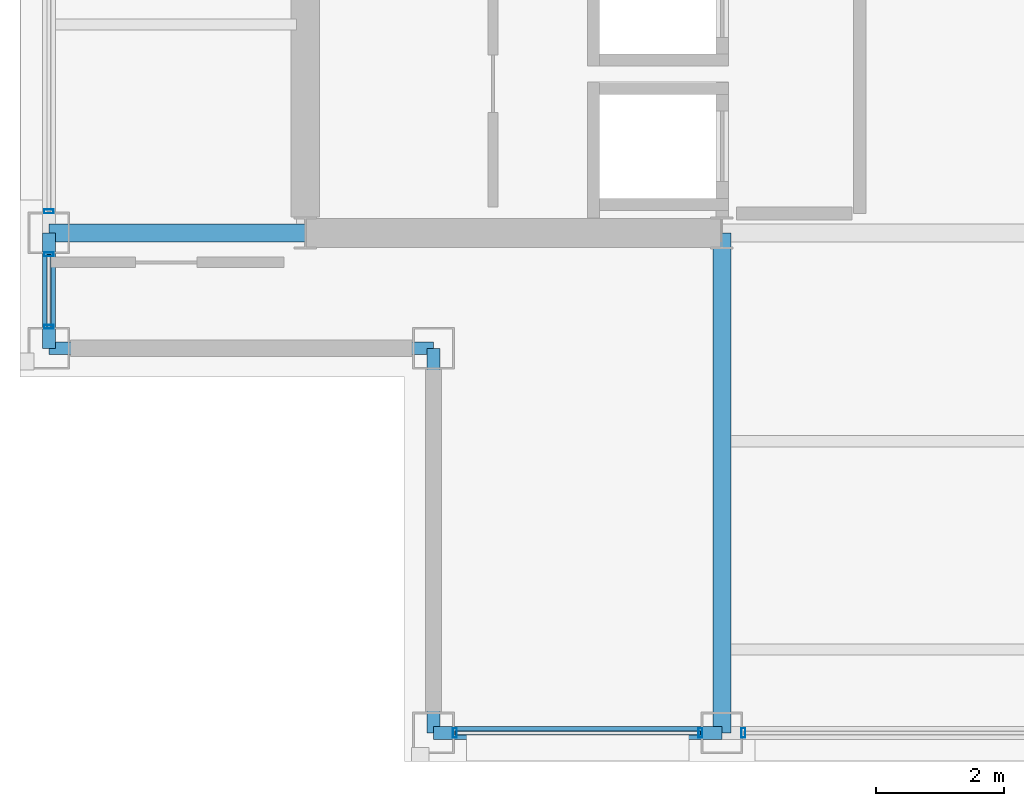
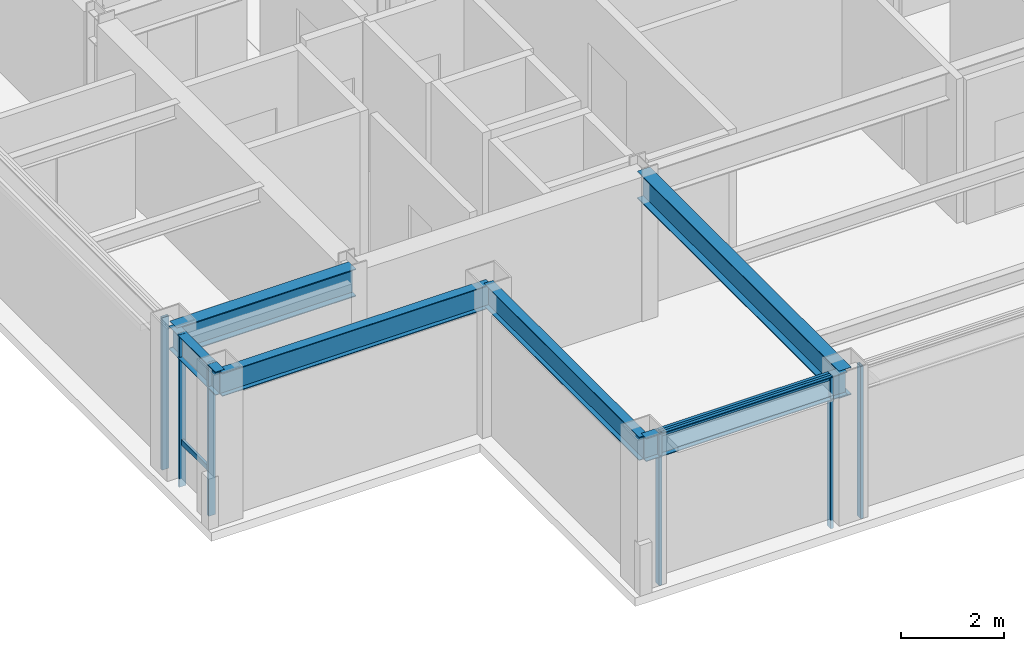
# One storey, part 2 of 20: 8 members, 6 beams, 4 elements without a shape of their own.
"""IFC4 building model written with IfcOpenShell, lengths in metres."""

from ifc_helpers import new_model, si_unit, direction, frame, origin, origin_2d, place, context, subcontext, project, spatial, hollow_rectangle, i_section, extrude, material, layer, layer_set, material_profile, profile_set, type_object, element, aggregate, save


model = new_model("IFC4")

# Units and contexts
model_context = context("Model", 3, precision=1e-05, world=origin(), true_north=direction((0.0, 1.0)))
body_context = subcontext(model_context, "Body", "Model", "MODEL_VIEW")
ifc_project = project(units=[si_unit("LENGTHUNIT", "METRE"), si_unit("AREAUNIT", "SQUARE_METRE"), si_unit("VOLUMEUNIT", "CUBIC_METRE"), si_unit("PLANEANGLEUNIT", "RADIAN"), si_unit("MASSUNIT", "GRAM", prefix="KILO")], contexts=[model_context])

# Site, building, storey
site_placement = place(None, origin())
site = spatial("IfcSite", under=ifc_project, at=site_placement, CompositionType="ELEMENT")
building_placement = place(site_placement, origin())
building = spatial("IfcBuilding", under=site, at=building_placement, Name="Brelmoor Portico Tower", CompositionType="ELEMENT")
storey_placement = place(building_placement, frame((0.0, 0.0, 218.39990234375)))
storey = spatial("IfcBuildingStorey", under=building, at=storey_placement, Name="L57", CompositionType="ELEMENT", Elevation=218.39990234375)

# Beams
ifc_material_1 = material(Name="Steel Q355B", Category="steel")
ifc_material_profile_1 = material_profile(ifc_material_1, i_section(OverallWidth=0.280029296875, OverallDepth=0.64990234375, WebThickness=0.012939453125, FlangeThickness=0.02197265625, at=origin_2d()), Name="HN 650x280x13x22")
ifc_profile_set_1 = profile_set([ifc_material_profile_1], Name="Steel Q355B")
beam_type_1 = type_object("IfcBeamType", Name="BM-PG-650", PredefinedType="BEAM", material=ifc_profile_set_1)
beam_1_placement = place(storey_placement, frame((-8.050048828125, -17.550048828125, 3.0751953125), z_axis=(0.0, 1.0, 0.0), x_axis=(-1.0, 0.0, 0.0)))
element("IfcBeam", 1, at=beam_1_placement, inside=storey, type_object=beam_type_1, Name="L57 Primary Floor Girder PG-03", PredefinedType="BEAM", context=body_context, shape_type="SweptSolid", body=[
    extrude(i_section(OverallWidth=0.280029296875, OverallDepth=0.64990234375, WebThickness=0.012939453125, FlangeThickness=0.02197265625, at=origin_2d()), origin(), (0.0, 0.0, 1.0), 7.800048828125),
])
beam_2_placement = place(storey_placement, frame((-18.550048828125, -9.75, 3.0751953125), z_axis=(1.0, 0.0, 0.0), x_axis=(0.0, 1.0, 0.0)))
element("IfcBeam", 2, at=beam_2_placement, inside=storey, type_object=beam_type_1, Name="L57 Primary Floor Girder PG-11", PredefinedType="BEAM", context=body_context, shape_type="SweptSolid", body=[
    extrude(i_section(OverallWidth=0.280029296875, OverallDepth=0.64990234375, WebThickness=0.012939453125, FlangeThickness=0.02197265625, at=origin_2d()), origin(), (0.0, 0.0, 1.0), 4.0),
])
ifc_material_profile_2 = material_profile(ifc_material_1, i_section(OverallWidth=0.199951171875, OverallDepth=0.550048828125, WebThickness=0.010009765625, FlangeThickness=0.01611328125, at=origin_2d()), Name="HN 550x200x10x16")
ifc_profile_set_2 = profile_set([ifc_material_profile_2], Name="Steel Q355B")
beam_type_2 = type_object("IfcBeamType", Name="BM-SP-550", PredefinedType="SPANDREL", material=ifc_profile_set_2)
beam_3_placement = place(storey_placement, frame((-12.550048828125, -17.550048828125, 3.125), z_axis=(1.0, 0.0, 0.0), x_axis=(0.0, 1.0, 0.0)))
element("IfcBeam", 3, at=beam_3_placement, inside=storey, type_object=beam_type_2, Name="L57 Perimeter Spandrel Beam SP-01", PredefinedType="SPANDREL", context=body_context, shape_type="SweptSolid", body=[
    extrude(i_section(OverallWidth=0.199951171875, OverallDepth=0.550048828125, WebThickness=0.010009765625, FlangeThickness=0.01611328125, at=origin_2d()), origin(), (0.0, 0.0, 1.0), 4.5),
])
beam_4_placement = place(storey_placement, frame((-18.550048828125, -11.550048828125, 3.125), z_axis=(1.0, 0.0, 0.0), x_axis=(0.0, 1.0, 0.0)))
element("IfcBeam", 4, at=beam_4_placement, inside=storey, type_object=beam_type_2, Name="L57 Perimeter Spandrel Beam SP-04", PredefinedType="SPANDREL", context=body_context, shape_type="SweptSolid", body=[
    extrude(i_section(OverallWidth=0.199951171875, OverallDepth=0.550048828125, WebThickness=0.010009765625, FlangeThickness=0.01611328125, at=origin_2d()), origin(), (0.0, 0.0, 1.0), 6.0),
])
beam_5_placement = place(storey_placement, frame((-18.550048828125, -11.550048828125, 3.125), z_axis=(0.0, 1.0, 0.0), x_axis=(-1.0, 0.0, 0.0)))
element("IfcBeam", 5, at=beam_5_placement, inside=storey, type_object=beam_type_2, Name="L57 Perimeter Spandrel Beam SP-11", PredefinedType="SPANDREL", context=body_context, shape_type="SweptSolid", body=[
    extrude(i_section(OverallWidth=0.199951171875, OverallDepth=0.550048828125, WebThickness=0.010009765625, FlangeThickness=0.01611328125, at=origin_2d()), origin(), (0.0, 0.0, 1.0), 1.800048828125),
])
beam_6_placement = place(storey_placement, frame((-12.550048828125, -17.550048828125, 3.125), z_axis=(0.0, 1.0, 0.0), x_axis=(-1.0, 0.0, 0.0)))
element("IfcBeam", 6, at=beam_6_placement, inside=storey, type_object=beam_type_2, Name="L57 Perimeter Spandrel Beam SP-14", PredefinedType="SPANDREL", context=body_context, shape_type="SweptSolid", body=[
    extrude(i_section(OverallWidth=0.199951171875, OverallDepth=0.550048828125, WebThickness=0.010009765625, FlangeThickness=0.01611328125, at=origin_2d()), origin(), (0.0, 0.0, 1.0), 6.0),
])

# Curtain wall, members
ifc_material_2 = material(Name="Anodised Aluminium Alloy 6063-T6", Category="aluminium")
ifc_layer_1 = layer(ifc_material_2, 0.179931640625)
ifc_layer_set_1 = layer_set([ifc_layer_1], Name="Anodised Aluminium Alloy 6063-T6")
curtain_wall_type_1 = type_object("IfcCurtainWallType", Name="CW-TOWER-Z4-XB", PredefinedType="NOTDEFINED", material=ifc_layer_set_1)
curtain_wall_1_placement = place(storey_placement, origin())
curtain_wall_1 = element("IfcCurtainWall", 7, at=curtain_wall_1_placement, inside=storey, type_object=curtain_wall_type_1, Name="L57 Curtain Wall CW-L57-01-1", PredefinedType="NOTDEFINED")
ifc_material_profile_3 = material_profile(ifc_material_2, hollow_rectangle(XDim=0.06005859375, YDim=0.14990234375, WallThickness=0.00390625, at=origin_2d()), Name="ALU MULLION 60x150")
ifc_profile_set_3 = profile_set([ifc_material_profile_3], Name="Anodised Aluminium Alloy 6063-T6")
member_type_1 = type_object("IfcMemberType", Name="MB-CW-MULL-150", PredefinedType="MULLION", material=ifc_profile_set_3)
member_1_placement = place(storey_placement, frame((-12.215087890625, -17.550048828125, -0.199951171875), z_axis=(0.0, 0.0, 1.0), x_axis=(1.0, 0.0, 0.0)))
member_1 = element("IfcMember", 8, at=member_1_placement, type_object=member_type_1, Name="CW-L57-01-1 Mullion 00", PredefinedType="MULLION", context=body_context, shape_type="SweptSolid", body=[
    extrude(hollow_rectangle(XDim=0.06005859375, YDim=0.14990234375, WallThickness=0.00390625, at=origin_2d()), origin(), (0.0, 0.0, 1.0), 3.60009765625),
])
member_2_placement = place(storey_placement, frame((-8.385009765625, -17.550048828125, -0.199951171875), z_axis=(0.0, 0.0, 1.0), x_axis=(1.0, 0.0, 0.0)))
member_2 = element("IfcMember", 9, at=member_2_placement, type_object=member_type_1, Name="CW-L57-01-1 Mullion 01", PredefinedType="MULLION", context=body_context, shape_type="SweptSolid", body=[
    extrude(hollow_rectangle(XDim=0.06005859375, YDim=0.14990234375, WallThickness=0.00390625, at=origin_2d()), origin(), (0.0, 0.0, 1.0), 3.60009765625),
])

# Curtain wall, member
curtain_wall_2_placement = place(storey_placement, origin())
curtain_wall_2 = element("IfcCurtainWall", 10, at=curtain_wall_2_placement, inside=storey, type_object=curtain_wall_type_1, Name="L57 Curtain Wall CW-L57-01-2", PredefinedType="NOTDEFINED")
member_3_placement = place(storey_placement, frame((-7.715087890625, -17.550048828125, -0.199951171875), z_axis=(0.0, 0.0, 1.0), x_axis=(1.0, 0.0, 0.0)))
member_3 = element("IfcMember", 11, at=member_3_placement, type_object=member_type_1, Name="CW-L57-01-2 Mullion 00", PredefinedType="MULLION", context=body_context, shape_type="SweptSolid", body=[
    extrude(hollow_rectangle(XDim=0.06005859375, YDim=0.14990234375, WallThickness=0.00390625, at=origin_2d()), origin(), (0.0, 0.0, 1.0), 3.60009765625),
])
aggregate(curtain_wall_2, [member_3])

# Curtain wall, members
ifc_layer_2 = layer(ifc_material_2, 0.179931640625)
ifc_layer_set_2 = layer_set([ifc_layer_2], Name="Anodised Aluminium Alloy 6063-T6")
curtain_wall_type_2 = type_object("IfcCurtainWallType", Name="CW-TOWER-Z4", PredefinedType="NOTDEFINED", material=ifc_layer_set_2)
curtain_wall_3_placement = place(storey_placement, origin())
curtain_wall_3 = element("IfcCurtainWall", 12, at=curtain_wall_3_placement, inside=storey, type_object=curtain_wall_type_2, Name="L57 Curtain Wall CW-L57-03-1", PredefinedType="NOTDEFINED")
member_4_placement = place(storey_placement, frame((-18.550048828125, -11.215087890625, -0.199951171875), z_axis=(0.0, 0.0, 1.0), x_axis=(0.0, 1.0, 0.0)))
member_4 = element("IfcMember", 13, at=member_4_placement, type_object=member_type_1, Name="CW-L57-03-1 Mullion 00", PredefinedType="MULLION", context=body_context, shape_type="SweptSolid", body=[
    extrude(hollow_rectangle(XDim=0.06005859375, YDim=0.14990234375, WallThickness=0.00390625, at=origin_2d()), origin(), (0.0, 0.0, 1.0), 3.60009765625),
])
member_5_placement = place(storey_placement, frame((-18.550048828125, -10.0849609375, -0.199951171875), z_axis=(0.0, 0.0, 1.0), x_axis=(0.0, 1.0, 0.0)))
member_5 = element("IfcMember", 14, at=member_5_placement, type_object=member_type_1, Name="CW-L57-03-1 Mullion 01", PredefinedType="MULLION", context=body_context, shape_type="SweptSolid", body=[
    extrude(hollow_rectangle(XDim=0.06005859375, YDim=0.14990234375, WallThickness=0.00390625, at=origin_2d()), origin(), (0.0, 0.0, 1.0), 3.60009765625),
])

# Curtain wall, member
curtain_wall_4_placement = place(storey_placement, origin())
curtain_wall_4 = element("IfcCurtainWall", 15, at=curtain_wall_4_placement, inside=storey, type_object=curtain_wall_type_1, Name="L57 Curtain Wall CW-L57-03-2", PredefinedType="NOTDEFINED")
member_6_placement = place(storey_placement, frame((-18.550048828125, -9.4150390625, -0.199951171875), z_axis=(0.0, 0.0, 1.0), x_axis=(0.0, 1.0, 0.0)))
member_6 = element("IfcMember", 16, at=member_6_placement, type_object=member_type_1, Name="CW-L57-03-2 Mullion 00", PredefinedType="MULLION", context=body_context, shape_type="SweptSolid", body=[
    extrude(hollow_rectangle(XDim=0.06005859375, YDim=0.14990234375, WallThickness=0.00390625, at=origin_2d()), origin(), (0.0, 0.0, 1.0), 3.60009765625),
])
aggregate(curtain_wall_4, [member_6])

# Member
ifc_material_profile_4 = material_profile(ifc_material_2, hollow_rectangle(XDim=0.06005859375, YDim=0.125, WallThickness=0.00341796875, at=origin_2d()), Name="ALU TRANSOM 60x125")
ifc_profile_set_4 = profile_set([ifc_material_profile_4], Name="Anodised Aluminium Alloy 6063-T6")
member_type_2 = type_object("IfcMemberType", Name="MB-CW-TRAN-125", PredefinedType="USERDEFINED", material=ifc_profile_set_4)
member_7_placement = place(storey_placement, frame((-12.215087890625, -17.550048828125, 3.337646484375), z_axis=(1.0, 0.0, 0.0), x_axis=(0.0, 1.0, 0.0)))
member_7 = element("IfcMember", 17, at=member_7_placement, type_object=member_type_2, Name="CW-L57-01-1 Transom 1-00", ObjectType="TRANSOM", PredefinedType="USERDEFINED", context=body_context, shape_type="SweptSolid", body=[
    extrude(hollow_rectangle(XDim=0.06005859375, YDim=0.125, WallThickness=0.00341796875, at=origin_2d()), origin(), (0.0, 0.0, 1.0), 3.830078125),
])

aggregate(curtain_wall_1, [member_1, member_2, member_7])

member_8_placement = place(storey_placement, frame((-18.550048828125, -11.215087890625, 0.85009765625), z_axis=(0.0, 1.0, 0.0), x_axis=(-1.0, 0.0, 0.0)))
member_8 = element("IfcMember", 18, at=member_8_placement, type_object=member_type_2, Name="CW-L57-03-1 Transom 1-00", ObjectType="TRANSOM", PredefinedType="USERDEFINED", context=body_context, shape_type="SweptSolid", body=[
    extrude(hollow_rectangle(XDim=0.06005859375, YDim=0.125, WallThickness=0.00341796875, at=origin_2d()), origin(), (0.0, 0.0, 1.0), 1.130126953125),
])

aggregate(curtain_wall_3, [member_4, member_5, member_8])

save(model, "model.ifc")
